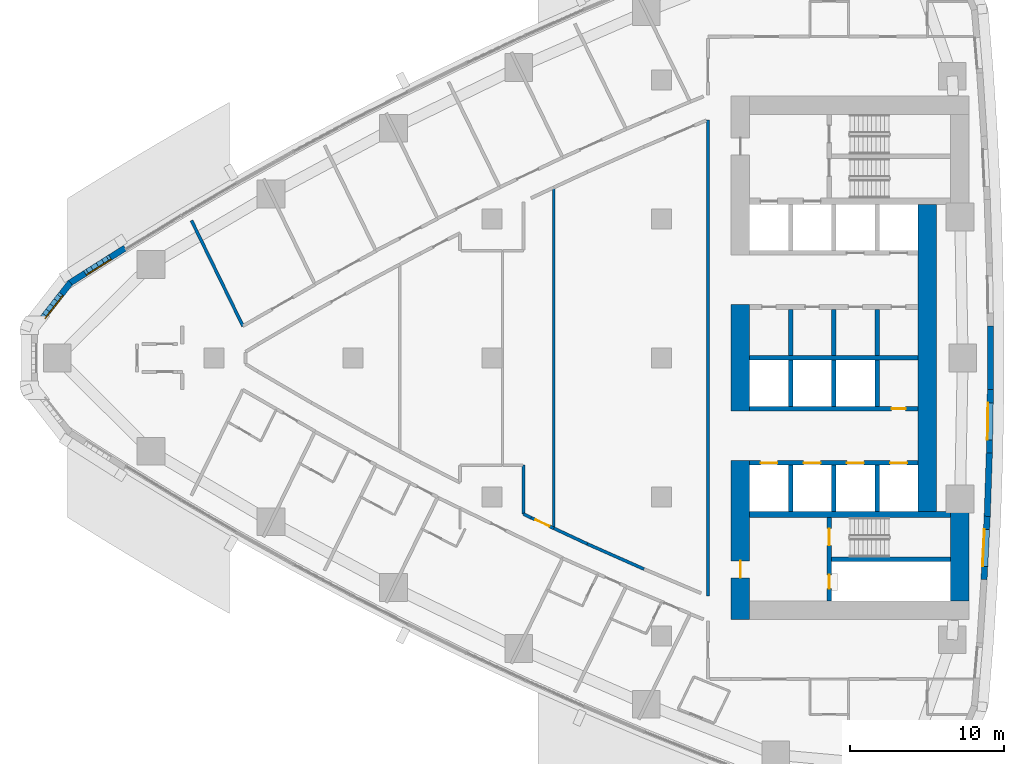
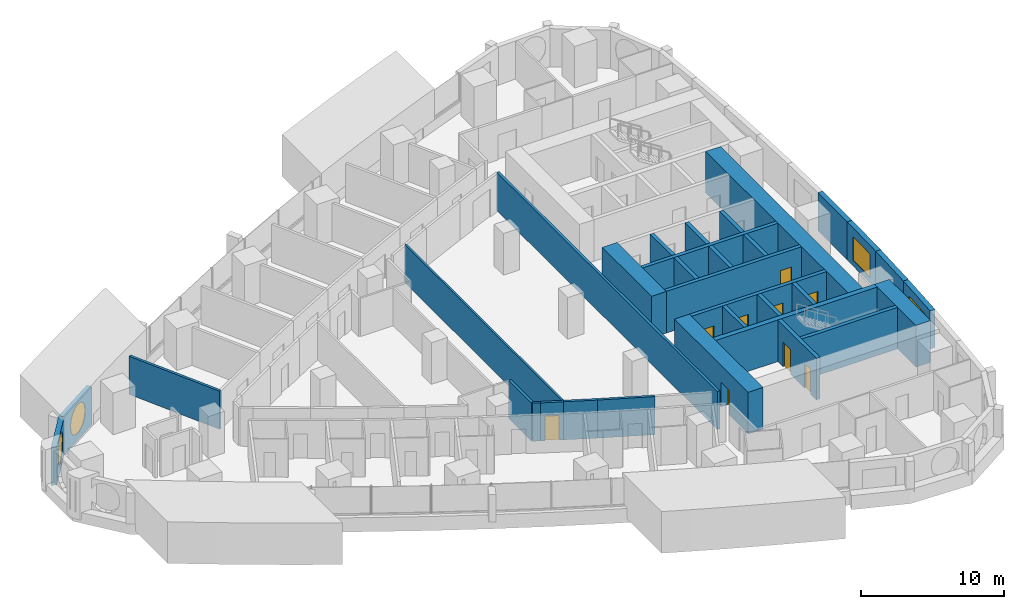
# One storey, part 11 of 19: 33 walls, 9 doors, 4 windows, 13 openings.
"""IFC4 building model written with IfcOpenShell, lengths in metres."""

from ifc_helpers import new_model, si_unit, direction, frame, frame_2d, origin, place, context, subcontext, project, spatial, polyline, rectangle, outline, extrude, material, layer, layer_set, type_object, element, fill, save


model = new_model("IFC4")

# Units and contexts
model_context = context("Model", 3, precision=1e-05, world=origin(), true_north=direction((0.0, 1.0)))
body_context = subcontext(model_context, "Body", "Model", "MODEL_VIEW")
ifc_project = project(units=[si_unit("LENGTHUNIT", "METRE"), si_unit("AREAUNIT", "SQUARE_METRE"), si_unit("VOLUMEUNIT", "CUBIC_METRE"), si_unit("PLANEANGLEUNIT", "RADIAN"), si_unit("MASSUNIT", "GRAM", prefix="KILO")], contexts=[model_context])

# Site, building, storey
site_placement = place(None, origin())
site = spatial("IfcSite", under=ifc_project, at=site_placement, CompositionType="ELEMENT")
building_placement = place(site_placement, origin())
building = spatial("IfcBuilding", under=site, at=building_placement, Name="Ostrand Prow Hotel Tower", CompositionType="ELEMENT")
storey_placement = place(building_placement, frame((0.0, 0.0, 46.699951171875)))
storey = spatial("IfcBuildingStorey", under=building, at=storey_placement, Name="L09", CompositionType="ELEMENT", Elevation=46.699951171875)

# Wall
ifc_material_1 = material(Name="Concrete C80/95", Category="concrete")
ifc_layer_1 = layer(ifc_material_1, 1.199951171875)
ifc_layer_set_1 = layer_set([ifc_layer_1], Name="Concrete C80/95")
wall_type_1 = type_object("IfcWallType", Name="Core wall 1200 C80/95", PredefinedType="SHEAR", material=ifc_layer_set_1)
wall_1_placement = place(storey_placement, frame((50.10009765625, -3.449951171875, 0.0), z_axis=(0.0, 0.0, 1.0), x_axis=(0.0, 1.0, 0.0)))
element("IfcWall", 1, at=wall_1_placement, inside=storey, type_object=wall_type_1, Name="Core wall CW-W-C", PredefinedType="SHEAR", context=body_context, shape_type="SweptSolid", body=[
    extrude(rectangle(XDim=6.89990234375, YDim=1.199951171875, at=frame_2d((3.449951171875, 0.0))), origin(), (0.0, 0.0, 1.0), 3.550048828125),
])

# Wall, opening, door
wall_2_placement = place(storey_placement, frame((50.10009765625, -16.949951171875, 0.0), z_axis=(0.0, 0.0, 1.0), x_axis=(0.0, 1.0, 0.0)))
wall_2 = element("IfcWall", 2, at=wall_2_placement, inside=storey, type_object=wall_type_1, Name="Core wall CW-W-S", PredefinedType="SHEAR", context=body_context, shape_type="SweptSolid", body=[
    extrude(rectangle(XDim=10.300048828125, YDim=1.199951171875, at=frame_2d((5.14990234375, 0.0))), origin(), (0.0, 0.0, 1.0), 3.550048828125),
])
opening_1_placement = place(wall_2_placement, frame((2.699951171875, 0.0, 0.0)))
opening_1 = element("IfcOpeningElement", 3, at=opening_1_placement, cuts=wall_2, Name="Opening FD1", PredefinedType="OPENING", context=body_context, shape_type="SweptSolid", body=[
    extrude(rectangle(XDim=1.10009765625, YDim=2.10009765625, at=frame_2d((0.550048828125, 1.050048828125))), frame((0.0, 0.60986328125, 0.0), z_axis=(0.0, -1.0, 0.0), x_axis=(1.0, 0.0, 0.0)), (0.0, 0.0, 1.0), 1.219970703125),
])
ifc_material_2 = material(Name="Steel fire door", Category="steel")
door_type_1 = type_object("IfcDoorType", Name="Fire door 1100 EI120", OperationType="SINGLE_SWING_RIGHT", PredefinedType="DOOR", material=ifc_material_2)
door_1_placement = place(opening_1_placement, origin())
door_1 = element("IfcDoor", 4, at=door_1_placement, inside=storey, type_object=door_type_1, Name="FIRE DOOR", OperationType="SINGLE_SWING_RIGHT", OverallHeight=2.10009765625, OverallWidth=1.10009765625, PredefinedType="DOOR", context=body_context, shape_type="SweptSolid", body=[
    extrude(rectangle(XDim=1.10009765625, YDim=2.10009765625, at=frame_2d((0.550048828125, 1.050048828125))), frame((0.0, 0.02490234375, 0.0), z_axis=(0.0, -1.0, 0.0), x_axis=(1.0, 0.0, 0.0)), (0.0, 0.0, 1.0), 0.050048828125),
])
fill(opening_1, door_1)

# Walls
wall_3_placement = place(storey_placement, frame((64.320068359375, -15.75, 0.0), z_axis=(0.0, 0.0, 1.0), x_axis=(0.0, 1.0, 0.0)))
element("IfcWall", 5, at=wall_3_placement, inside=storey, type_object=wall_type_1, Name="Core wall CW-E-S", PredefinedType="SHEAR", context=body_context, shape_type="SweptSolid", body=[
    extrude(rectangle(XDim=5.800048828125, YDim=1.199951171875, at=frame_2d((2.89990234375, 0.0))), origin(), (0.0, 0.0, 1.0), 3.550048828125),
])
wall_4_placement = place(storey_placement, frame((62.199951171875, -9.949951171875, 0.0), z_axis=(0.0, 0.0, 1.0), x_axis=(0.0, 1.0, 0.0)))
element("IfcWall", 6, at=wall_4_placement, inside=storey, type_object=wall_type_1, Name="Core wall CW-E-C", PredefinedType="SHEAR", context=body_context, shape_type="SweptSolid", body=[
    extrude(rectangle(XDim=19.89990234375, YDim=1.199951171875, at=frame_2d((9.949951171875, 0.0))), origin(), (0.0, 0.0, 1.0), 3.550048828125),
])
ifc_material_3 = material(Name="Concrete C80/95", Category="concrete")
ifc_layer_2 = layer(ifc_material_3, 0.300048828125)
ifc_layer_set_2 = layer_set([ifc_layer_2], Name="Concrete C80/95")
wall_type_2 = type_object("IfcWallType", Name="Core wall 300 C80/95", PredefinedType="SHEAR", material=ifc_layer_set_2)
wall_5_placement = place(storey_placement, frame((50.699951171875, 0.0, 0.0), z_axis=(0.0, 0.0, 1.0), x_axis=(1.0, 0.0, 0.0)))
element("IfcWall", 7, at=wall_5_placement, inside=storey, type_object=wall_type_2, Name="Core wall PW-C", PredefinedType="SHEAR", context=body_context, shape_type="SweptSolid", body=[
    extrude(rectangle(XDim=10.900146484375, YDim=0.300048828125, at=frame_2d((5.4501953125, 0.0))), origin(), (0.0, 0.0, 1.0), 3.550048828125),
])
for number, where, z_axis, x_axis, name in (
    (8, (53.35009765625, 0.14990234375, 0.0), (0.0, 0.0, 1.0), (0.0, 1.0, 0.0), "Core wall PW-R1-NB"),
    (9, (56.14990234375, 0.14990234375, 0.0), (0.0, 0.0, 1.0), (0.0, 1.0, 0.0), "Core wall PW-R2-NB"),
    (10, (58.949951171875, 0.14990234375, 0.0), (0.0, 0.0, 1.0), (0.0, 1.0, 0.0), "Core wall PW-R3-NB"),
):
    element("IfcWall", number, at=place(storey_placement, frame(where, z_axis=z_axis, x_axis=x_axis)), inside=storey, type_object=wall_type_2, Name=name, PredefinedType="SHEAR", context=body_context, shape_type="SweptSolid", body=[
        extrude(rectangle(XDim=3.0, YDim=0.300048828125, at=frame_2d((1.5, 0.0))), origin(), (0.0, 0.0, 1.0), 3.550048828125),
    ])

# Wall, opening, door
wall_6_placement = place(storey_placement, frame((50.699951171875, -3.300048828125, 0.0), z_axis=(0.0, 0.0, 1.0), x_axis=(1.0, 0.0, 0.0)))
wall_6 = element("IfcWall", 11, at=wall_6_placement, inside=storey, type_object=wall_type_2, Name="Core wall PW-L1-S", PredefinedType="SHEAR", context=body_context, shape_type="SweptSolid", body=[
    extrude(rectangle(XDim=10.900146484375, YDim=0.300048828125, at=frame_2d((5.4501953125, 0.0))), origin(), (0.0, 0.0, 1.0), 3.550048828125),
])
opening_2_placement = place(wall_6_placement, frame((9.199951171875, 0.0, 0.0)))
opening_2 = element("IfcOpeningElement", 12, at=opening_2_placement, cuts=wall_6, Name="Opening FD2", PredefinedType="OPENING", context=body_context, shape_type="SweptSolid", body=[
    extrude(rectangle(XDim=0.89990234375, YDim=2.10009765625, at=frame_2d((0.449951171875, 1.050048828125))), frame((0.0, 0.159912109375, 0.0), z_axis=(0.0, -1.0, 0.0), x_axis=(1.0, 0.0, 0.0)), (0.0, 0.0, 1.0), 0.320068359375),
])
ifc_material_4 = material(Name="Steel fire door", Category="steel")
door_type_2 = type_object("IfcDoorType", Name="Fire door 900 EI120", OperationType="SINGLE_SWING_LEFT", PredefinedType="DOOR", material=ifc_material_4)
door_2_placement = place(opening_2_placement, origin())
door_2 = element("IfcDoor", 13, at=door_2_placement, inside=storey, type_object=door_type_2, Name="DOOR", OperationType="SINGLE_SWING_LEFT", OverallHeight=2.10009765625, OverallWidth=0.89990234375, PredefinedType="DOOR", context=body_context, shape_type="SweptSolid", body=[
    extrude(rectangle(XDim=0.89990234375, YDim=2.10009765625, at=frame_2d((0.449951171875, 1.050048828125))), frame((0.0, 0.02490234375, 0.0), z_axis=(0.0, -1.0, 0.0), x_axis=(1.0, 0.0, 0.0)), (0.0, 0.0, 1.0), 0.050048828125),
])
fill(opening_2, door_2)

# Wall, openings, doors
wall_7_placement = place(storey_placement, frame((50.699951171875, -6.800048828125, 0.0), z_axis=(0.0, 0.0, 1.0), x_axis=(1.0, 0.0, 0.0)))
wall_7 = element("IfcWall", 14, at=wall_7_placement, inside=storey, type_object=wall_type_2, Name="Core wall PW-L2-S", PredefinedType="SHEAR", context=body_context, shape_type="SweptSolid", body=[
    extrude(rectangle(XDim=10.900146484375, YDim=0.300048828125, at=frame_2d((5.4501953125, 0.0))), origin(), (0.0, 0.0, 1.0), 3.550048828125),
])
opening_3_placement = place(wall_7_placement, frame((0.699951171875, 0.0, 0.0)))
opening_3 = element("IfcOpeningElement", 15, at=opening_3_placement, cuts=wall_7, Name="Opening LD", PredefinedType="OPENING", context=body_context, shape_type="SweptSolid", body=[
    extrude(rectangle(XDim=1.10009765625, YDim=2.10009765625, at=frame_2d((0.550048828125, 1.050048828125))), frame((0.0, 0.159912109375, 0.0), z_axis=(0.0, -1.0, 0.0), x_axis=(1.0, 0.0, 0.0)), (0.0, 0.0, 1.0), 0.320068359375),
])
opening_4_placement = place(wall_7_placement, frame((3.5, 0.0, 0.0)))
opening_4 = element("IfcOpeningElement", 16, at=opening_4_placement, cuts=wall_7, Name="Opening LD", PredefinedType="OPENING", context=body_context, shape_type="SweptSolid", body=[
    extrude(rectangle(XDim=1.10009765625, YDim=2.10009765625, at=frame_2d((0.550048828125, 1.050048828125))), frame((0.0, 0.159912109375, 0.0), z_axis=(0.0, -1.0, 0.0), x_axis=(1.0, 0.0, 0.0)), (0.0, 0.0, 1.0), 0.320068359375),
])
opening_5_placement = place(wall_7_placement, frame((6.300048828125, 0.0, 0.0)))
opening_5 = element("IfcOpeningElement", 17, at=opening_5_placement, cuts=wall_7, Name="Opening LD", PredefinedType="OPENING", context=body_context, shape_type="SweptSolid", body=[
    extrude(rectangle(XDim=1.10009765625, YDim=2.10009765625, at=frame_2d((0.550048828125, 1.050048828125))), frame((0.0, 0.159912109375, 0.0), z_axis=(0.0, -1.0, 0.0), x_axis=(1.0, 0.0, 0.0)), (0.0, 0.0, 1.0), 0.320068359375),
])
opening_6_placement = place(wall_7_placement, frame((9.10009765625, 0.0, 0.0)))
opening_6 = element("IfcOpeningElement", 18, at=opening_6_placement, cuts=wall_7, Name="Opening LD", PredefinedType="OPENING", context=body_context, shape_type="SweptSolid", body=[
    extrude(rectangle(XDim=1.10009765625, YDim=2.10009765625, at=frame_2d((0.550048828125, 1.050048828125))), frame((0.0, 0.159912109375, 0.0), z_axis=(0.0, -1.0, 0.0), x_axis=(1.0, 0.0, 0.0)), (0.0, 0.0, 1.0), 0.320068359375),
])
ifc_material_5 = material(Name="Stainless steel door", Category="steel")
door_type_3 = type_object("IfcDoorType", Name="Lift landing door 1100", OperationType="DOUBLE_DOOR_SLIDING", PredefinedType="DOOR", material=ifc_material_5)
door_3_placement = place(opening_3_placement, origin())
door_3 = element("IfcDoor", 19, at=door_3_placement, inside=storey, type_object=door_type_3, Name="LIFT LANDING DOOR", OperationType="DOUBLE_DOOR_SLIDING", OverallHeight=2.10009765625, OverallWidth=1.10009765625, PredefinedType="DOOR", context=body_context, shape_type="SweptSolid", body=[
    extrude(rectangle(XDim=1.10009765625, YDim=2.10009765625, at=frame_2d((0.550048828125, 1.050048828125))), frame((0.0, 0.02490234375, 0.0), z_axis=(0.0, -1.0, 0.0), x_axis=(1.0, 0.0, 0.0)), (0.0, 0.0, 1.0), 0.050048828125),
])
fill(opening_3, door_3)
door_4_placement = place(opening_4_placement, origin())
door_4 = element("IfcDoor", 20, at=door_4_placement, inside=storey, type_object=door_type_3, Name="LIFT LANDING DOOR", OperationType="DOUBLE_DOOR_SLIDING", OverallHeight=2.10009765625, OverallWidth=1.10009765625, PredefinedType="DOOR", context=body_context, shape_type="SweptSolid", body=[
    extrude(rectangle(XDim=1.10009765625, YDim=2.10009765625, at=frame_2d((0.550048828125, 1.050048828125))), frame((0.0, 0.02490234375, 0.0), z_axis=(0.0, -1.0, 0.0), x_axis=(1.0, 0.0, 0.0)), (0.0, 0.0, 1.0), 0.050048828125),
])
fill(opening_4, door_4)
door_5_placement = place(opening_5_placement, origin())
door_5 = element("IfcDoor", 21, at=door_5_placement, inside=storey, type_object=door_type_3, Name="LIFT LANDING DOOR", OperationType="DOUBLE_DOOR_SLIDING", OverallHeight=2.10009765625, OverallWidth=1.10009765625, PredefinedType="DOOR", context=body_context, shape_type="SweptSolid", body=[
    extrude(rectangle(XDim=1.10009765625, YDim=2.10009765625, at=frame_2d((0.550048828125, 1.050048828125))), frame((0.0, 0.02490234375, 0.0), z_axis=(0.0, -1.0, 0.0), x_axis=(1.0, 0.0, 0.0)), (0.0, 0.0, 1.0), 0.050048828125),
])
fill(opening_5, door_5)
door_6_placement = place(opening_6_placement, origin())
door_6 = element("IfcDoor", 22, at=door_6_placement, inside=storey, type_object=door_type_3, Name="LIFT LANDING DOOR", OperationType="DOUBLE_DOOR_SLIDING", OverallHeight=2.10009765625, OverallWidth=1.10009765625, PredefinedType="DOOR", context=body_context, shape_type="SweptSolid", body=[
    extrude(rectangle(XDim=1.10009765625, YDim=2.10009765625, at=frame_2d((0.550048828125, 1.050048828125))), frame((0.0, 0.02490234375, 0.0), z_axis=(0.0, -1.0, 0.0), x_axis=(1.0, 0.0, 0.0)), (0.0, 0.0, 1.0), 0.050048828125),
])
fill(opening_6, door_6)

# Walls
for number, where, z_axis, x_axis, name in (
    (23, (53.35009765625, -3.14990234375, 0.0), (0.0, 0.0, 1.0), (0.0, 1.0, 0.0), "Core wall PW-R1-SB"),
    (24, (53.35009765625, -9.949951171875, 0.0), (0.0, 0.0, 1.0), (0.0, 1.0, 0.0), "Core wall PW-R1-SA"),
    (25, (56.14990234375, -3.14990234375, 0.0), (0.0, 0.0, 1.0), (0.0, 1.0, 0.0), "Core wall PW-R2-SB"),
    (26, (56.14990234375, -9.949951171875, 0.0), (0.0, 0.0, 1.0), (0.0, 1.0, 0.0), "Core wall PW-R2-SA"),
    (27, (58.949951171875, -3.14990234375, 0.0), (0.0, 0.0, 1.0), (0.0, 1.0, 0.0), "Core wall PW-R3-SB"),
    (28, (58.949951171875, -9.949951171875, 0.0), (0.0, 0.0, 1.0), (0.0, 1.0, 0.0), "Core wall PW-R3-SA"),
):
    element("IfcWall", number, at=place(storey_placement, frame(where, z_axis=z_axis, x_axis=x_axis)), inside=storey, type_object=wall_type_2, Name=name, PredefinedType="SHEAR", context=body_context, shape_type="SweptSolid", body=[
        extrude(rectangle(XDim=3.0, YDim=0.300048828125, at=frame_2d((1.5, 0.0))), origin(), (0.0, 0.0, 1.0), 3.550048828125),
    ])

# Wall, openings, doors
wall_8_placement = place(storey_placement, frame((55.85009765625, -15.75, 0.0), z_axis=(0.0, 0.0, 1.0), x_axis=(0.0, 1.0, 0.0)))
wall_8 = element("IfcWall", 29, at=wall_8_placement, inside=storey, type_object=wall_type_2, Name="Core wall PW-VS", PredefinedType="SHEAR", context=body_context, shape_type="SweptSolid", body=[
    extrude(rectangle(XDim=5.39990234375, YDim=0.300048828125, at=frame_2d((2.699951171875, 0.0))), origin(), (0.0, 0.0, 1.0), 3.550048828125),
])
opening_7_placement = place(wall_8_placement, frame((3.60009765625, 0.0, 0.0)))
opening_7 = element("IfcOpeningElement", 30, at=opening_7_placement, cuts=wall_8, Name="Opening FD1", PredefinedType="OPENING", context=body_context, shape_type="SweptSolid", body=[
    extrude(rectangle(XDim=1.10009765625, YDim=2.10009765625, at=frame_2d((0.550048828125, 1.050048828125))), frame((0.0, 0.159912109375, 0.0), z_axis=(0.0, -1.0, 0.0), x_axis=(1.0, 0.0, 0.0)), (0.0, 0.0, 1.0), 0.320068359375),
])
opening_8_placement = place(wall_8_placement, frame((0.800048828125, 0.0, 0.0)))
opening_8 = element("IfcOpeningElement", 31, at=opening_8_placement, cuts=wall_8, Name="Opening FD2", PredefinedType="OPENING", context=body_context, shape_type="SweptSolid", body=[
    extrude(rectangle(XDim=0.89990234375, YDim=2.10009765625, at=frame_2d((0.449951171875, 1.050048828125))), frame((0.0, 0.159912109375, 0.0), z_axis=(0.0, -1.0, 0.0), x_axis=(1.0, 0.0, 0.0)), (0.0, 0.0, 1.0), 0.320068359375),
])
door_7_placement = place(opening_7_placement, origin())
door_7 = element("IfcDoor", 32, at=door_7_placement, inside=storey, type_object=door_type_1, Name="FIRE DOOR", OperationType="SINGLE_SWING_RIGHT", OverallHeight=2.10009765625, OverallWidth=1.10009765625, PredefinedType="DOOR", context=body_context, shape_type="SweptSolid", body=[
    extrude(rectangle(XDim=1.10009765625, YDim=2.10009765625, at=frame_2d((0.550048828125, 1.050048828125))), frame((0.0, 0.02490234375, 0.0), z_axis=(0.0, -1.0, 0.0), x_axis=(1.0, 0.0, 0.0)), (0.0, 0.0, 1.0), 0.050048828125),
])
fill(opening_7, door_7)
door_8_placement = place(opening_8_placement, origin())
door_8 = element("IfcDoor", 33, at=door_8_placement, inside=storey, type_object=door_type_2, Name="FIRE DOOR", OperationType="SINGLE_SWING_LEFT", OverallHeight=2.10009765625, OverallWidth=0.89990234375, PredefinedType="DOOR", context=body_context, shape_type="SweptSolid", body=[
    extrude(rectangle(XDim=0.89990234375, YDim=2.10009765625, at=frame_2d((0.449951171875, 1.050048828125))), frame((0.0, 0.02490234375, 0.0), z_axis=(0.0, -1.0, 0.0), x_axis=(1.0, 0.0, 0.0)), (0.0, 0.0, 1.0), 0.050048828125),
])
fill(opening_8, door_8)

# Walls
wall_9_placement = place(storey_placement, frame((56.0, -13.050048828125, 0.0), z_axis=(0.0, 0.0, 1.0), x_axis=(1.0, 0.0, 0.0)))
element("IfcWall", 34, at=wall_9_placement, inside=storey, type_object=wall_type_2, Name="Core wall PW-ST2R", PredefinedType="SHEAR", context=body_context, shape_type="SweptSolid", body=[
    extrude(rectangle(XDim=7.719970703125, YDim=0.300048828125, at=frame_2d((3.85986328125, 0.0))), origin(), (0.0, 0.0, 1.0), 3.550048828125),
])
ifc_material_6 = material(Name="Concrete C80/95", Category="concrete")
ifc_layer_3 = layer(ifc_material_6, 0.39990234375)
ifc_layer_set_3 = layer_set([ifc_layer_3], Name="Concrete C80/95")
wall_type_3 = type_object("IfcWallType", Name="Core wall 400 C80/95", PredefinedType="SHEAR", material=ifc_layer_set_3)
wall_10_placement = place(storey_placement, frame((50.699951171875, -10.14990234375, 0.0), z_axis=(0.0, 0.0, 1.0), x_axis=(1.0, 0.0, 0.0)))
element("IfcWall", 35, at=wall_10_placement, inside=storey, type_object=wall_type_3, Name="Core wall PW-BS", PredefinedType="SHEAR", context=body_context, shape_type="SweptSolid", body=[
    extrude(rectangle(XDim=13.02001953125, YDim=0.39990234375, at=frame_2d((6.510009765625, 0.0))), origin(), (0.0, 0.0, 1.0), 3.550048828125),
])
ifc_material_7 = material(Name="Plasterboard partition")
ifc_layer_4 = layer(ifc_material_7, 0.14990234375)
ifc_layer_set_4 = layer_set([ifc_layer_4], Name="Plasterboard partition")
wall_type_4 = type_object("IfcWallType", Name="Partition 150 room partition", PredefinedType="PARTITIONING", material=ifc_layer_set_4)
wall_11_placement = place(storey_placement, frame((38.0166015625, -11.039306640625, 0.0), z_axis=(0.0, 0.0, 1.0), x_axis=(0.0, 1.0, 0.0)))
element("IfcWall", 36, at=wall_11_placement, inside=storey, type_object=wall_type_4, Name="ROOM PARTITION", PredefinedType="PARTITIONING", context=body_context, shape_type="SweptSolid", body=[
    extrude(rectangle(XDim=22.07861328125, YDim=0.14990234375, at=frame_2d((11.039306640625, 0.0))), origin(), (0.0, 0.0, 1.0), 3.25),
])

# Wall, opening, door
ifc_material_8 = material(Name="Plasterboard partition")
ifc_layer_5 = layer(ifc_material_8, 0.199951171875)
ifc_layer_set_5 = layer_set([ifc_layer_5], Name="Plasterboard partition")
wall_type_5 = type_object("IfcWallType", Name="Partition 200 corridor wall", PredefinedType="PARTITIONING", material=ifc_layer_set_5)
wall_12_placement = place(storey_placement, frame((38.0166015625, -11.039306640625, 0.0), z_axis=(0.0, 0.0, 1.0), x_axis=(-0.906378304335, 0.422467003955, 0.0)))
wall_12 = element("IfcWall", 37, at=wall_12_placement, inside=storey, type_object=wall_type_5, Name="CORRIDOR WALL", PredefinedType="PARTITIONING", context=body_context, shape_type="SweptSolid", body=[
    extrude(rectangle(XDim=1.629150390625, YDim=0.199951171875, at=frame_2d((0.814453125, 0.0))), origin(), (0.0, 0.0, 1.0), 3.25),
])
opening_9_placement = place(wall_12_placement, frame((0.314697265625, 0.0, 0.0)))
opening_9 = element("IfcOpeningElement", 38, at=opening_9_placement, cuts=wall_12, Name="Opening D1R", PredefinedType="OPENING", context=body_context, shape_type="SweptSolid", body=[
    extrude(rectangle(XDim=1.0, YDim=2.10009765625, at=frame_2d((0.5, 1.050048828125))), frame((0.0, 0.10986328125, 0.0), z_axis=(0.0, -1.0, 0.0), x_axis=(1.0, 0.0, 0.0)), (0.0, 0.0, 1.0), 0.219970703125),
])
ifc_material_9 = material(Name="Timber door leaf", Category="wood")
door_type_4 = type_object("IfcDoorType", Name="Guest room door 1000 right", OperationType="SINGLE_SWING_RIGHT", PredefinedType="DOOR", material=ifc_material_9)
door_9_placement = place(opening_9_placement, origin())
door_9 = element("IfcDoor", 39, at=door_9_placement, inside=storey, type_object=door_type_4, Name="DOOR", OperationType="SINGLE_SWING_RIGHT", OverallHeight=2.10009765625, OverallWidth=1.0, PredefinedType="DOOR", context=body_context, shape_type="SweptSolid", body=[
    extrude(rectangle(XDim=1.0, YDim=2.10009765625, at=frame_2d((0.5, 1.050048828125))), frame((0.0, 0.02490234375, 0.0), z_axis=(0.0, -1.0, 0.0), x_axis=(1.0, 0.0, 0.0)), (0.0, 0.0, 1.0), 0.050048828125),
])
fill(opening_9, door_9)

# Walls
wall_13_placement = place(storey_placement, frame((43.85009765625, -13.67724609375, 0.0), z_axis=(0.0, 0.0, 1.0), x_axis=(-0.913986953061, 0.405743576209, 0.0)))
element("IfcWall", 40, at=wall_13_placement, inside=storey, type_object=wall_type_5, Name="CORRIDOR WALL", PredefinedType="PARTITIONING", context=body_context, shape_type="SweptSolid", body=[
    extrude(rectangle(XDim=4.015869140625, YDim=0.199951171875, at=frame_2d((2.0078125, 0.0))), origin(), (0.0, 0.0, 1.0), 3.25),
])
wall_14_placement = place(storey_placement, frame((40.1796875, -12.0478515625, 0.0), z_axis=(0.0, 0.0, 1.0), x_axis=(-0.906326822236, 0.422577438223, 0.0)))
element("IfcWall", 41, at=wall_14_placement, inside=storey, type_object=wall_type_5, Name="CORRIDOR WALL", PredefinedType="PARTITIONING", context=body_context, shape_type="SweptSolid", body=[
    extrude(rectangle(XDim=2.38671875, YDim=0.199951171875, at=frame_2d((1.193359375, 0.0))), origin(), (0.0, 0.0, 1.0), 3.25),
])
wall_15_placement = place(storey_placement, frame((36.054931640625, -10.1083984375, 0.0), z_axis=(0.0, 0.0, 1.0), x_axis=(-0.000308880294, 0.999999952296, 0.0)))
element("IfcWall", 42, at=wall_15_placement, inside=storey, type_object=wall_type_5, Name="CORRIDOR WALL", PredefinedType="PARTITIONING", context=body_context, shape_type="SweptSolid", body=[
    extrude(rectangle(XDim=3.16162109375, YDim=0.199951171875, at=frame_2d((1.580810546875, 0.0))), origin(), (0.0, 0.0, 1.0), 3.25),
])
wall_16_placement = place(storey_placement, frame((48.0, 15.4140625, 0.0), z_axis=(0.0, 0.0, 1.0), x_axis=(0.0, -1.0, 0.0)))
element("IfcWall", 43, at=wall_16_placement, inside=storey, type_object=wall_type_5, Name="CORRIDOR WALL", PredefinedType="PARTITIONING", context=body_context, shape_type="SweptSolid", body=[
    extrude(rectangle(XDim=30.828125, YDim=0.199951171875, at=frame_2d((15.4140625, 0.0))), origin(), (0.0, 0.0, 1.0), 3.25),
])
wall_17_placement = place(storey_placement, frame((36.5400390625, -10.35107421875, 0.0), z_axis=(0.0, 0.0, 1.0), x_axis=(-0.894337154042, 0.447393624116, 0.0)))
element("IfcWall", 44, at=wall_17_placement, inside=storey, type_object=wall_type_5, Name="CORRIDOR WALL", PredefinedType="PARTITIONING", context=body_context, shape_type="SweptSolid", body=[
    extrude(rectangle(XDim=0.54248046875, YDim=0.199951171875, at=frame_2d((0.271240234375, 0.0))), origin(), (0.0, 0.0, 1.0), 3.25),
])
ifc_material_10 = material(Name="Plasterboard partition")
ifc_layer_6 = layer(ifc_material_10, 0.199951171875)
ifc_layer_set_6 = layer_set([ifc_layer_6], Name="Plasterboard partition")
wall_type_6 = type_object("IfcWallType", Name="Partition 200 key partition", PredefinedType="PARTITIONING", material=ifc_layer_set_6)
wall_18_placement = place(storey_placement, frame((17.88232421875, 2.050048828125, 0.0), z_axis=(0.0, 0.0, 1.0), x_axis=(-0.438213564788, 0.898870887078, 0.0)))
element("IfcWall", 45, at=wall_18_placement, inside=storey, type_object=wall_type_6, Name="KEY PARTITION", PredefinedType="PARTITIONING", context=body_context, shape_type="SweptSolid", body=[
    extrude(rectangle(XDim=7.62548828125, YDim=0.199951171875, at=frame_2d((3.812744140625, 0.0))), origin(), (0.0, 0.0, 1.0), 3.25),
])

# Wall, opening, window
ifc_material_11 = material(Name="Precast concrete C40/50", Category="concrete")
ifc_layer_7 = layer(ifc_material_11, 0.39990234375)
ifc_layer_set_7 = layer_set([ifc_layer_7], Name="Precast concrete C40/50")
wall_type_7 = type_object("IfcWallType", Name="Stone-faced precast wall 400 mm", PredefinedType="NOTDEFINED", material=ifc_layer_set_7)
wall_19_placement = place(storey_placement, frame((10.24169921875, 7.116455078125, 0.0), z_axis=(0.0, 0.0, 1.0), x_axis=(-0.844551578623, -0.535474211372, 0.0)))
wall_19 = element("IfcWall", 46, at=wall_19_placement, inside=storey, type_object=wall_type_7, Name="Stone-faced wall prow 1", PredefinedType="NOTDEFINED", context=body_context, shape_type="SweptSolid", body=[
    extrude(outline(polyline([(0.0, -0.199951171875), (4.23046875, -0.199951171875), (4.16162109375, 0.199951171875), (0.0, 0.199951171875), (0.0, -0.199951171875)])), origin(), (0.0, 0.0, 1.0), 3.25),
])
opening_10_placement = place(wall_19_placement, frame((0.998046875, 0.0, 0.60009765625)))
opening_10 = element("IfcOpeningElement", 47, at=opening_10_placement, cuts=wall_19, Name="Opening WP2", PredefinedType="OPENING", context=body_context, shape_type="SweptSolid", body=[
    extrude(outline(polyline([(0.0, 1.35009765625), (0.083740234375, 1.77099609375), (0.322265625, 2.127685546875), (0.678955078125, 2.3662109375), (1.10009765625, 2.449951171875), (1.52099609375, 2.3662109375), (1.877685546875, 2.127685546875), (2.1162109375, 1.77099609375), (2.199951171875, 1.35009765625), (2.199951171875, 1.10009765625), (2.1162109375, 0.678955078125), (1.877685546875, 0.322265625), (1.52099609375, 0.083740234375), (1.10009765625, 0.0), (0.678955078125, 0.083740234375), (0.322265625, 0.322265625), (0.083740234375, 0.678955078125), (0.0, 1.099853515625), (0.0, 1.35009765625)])), frame((0.0, 0.2099609375, 0.0), z_axis=(0.0, -1.0, 0.0), x_axis=(1.0, 0.0, 0.0)), (0.0, 0.0, 1.0), 0.419921875),
])
ifc_material_12 = material(Name="Insulated glass in bronze frame", Category="glass")
window_type_1 = type_object("IfcWindowType", Name="Round-ended prow lounge window 2200x2450", PartitioningType="SINGLE_PANEL", PredefinedType="WINDOW", material=ifc_material_12)
window_1_placement = place(opening_10_placement, origin())
window_1 = element("IfcWindow", 48, at=window_1_placement, inside=storey, type_object=window_type_1, Name="Window prow 1.1", OverallHeight=2.449951171875, OverallWidth=2.199951171875, PartitioningType="SINGLE_PANEL", PredefinedType="WINDOW", context=body_context, shape_type="SweptSolid", body=[
    extrude(outline(polyline([(0.0, 1.35009765625), (0.083740234375, 1.77099609375), (0.322265625, 2.127685546875), (0.678955078125, 2.3662109375), (1.10009765625, 2.449951171875), (1.52099609375, 2.3662109375), (1.877685546875, 2.127685546875), (2.1162109375, 1.77099609375), (2.199951171875, 1.35009765625), (2.199951171875, 1.10009765625), (2.1162109375, 0.678955078125), (1.877685546875, 0.322265625), (1.52099609375, 0.083740234375), (1.10009765625, 0.0), (0.678955078125, 0.083740234375), (0.322265625, 0.322265625), (0.083740234375, 0.678955078125), (0.0, 1.099853515625), (0.0, 1.35009765625)])), frame((0.0, 0.169921875, 0.0), z_axis=(0.0, -1.0, 0.0), x_axis=(1.0, 0.0, 0.0)), (0.0, 0.0, 1.0), 0.06005859375),
])
fill(opening_10, window_1)

wall_20_placement = place(storey_placement, frame((6.697998046875, 4.86962890625, 0.0), z_axis=(0.0, 0.0, 1.0), x_axis=(-0.616586647779, -0.787287054245, 0.0)))
wall_20 = element("IfcWall", 49, at=wall_20_placement, inside=storey, type_object=wall_type_7, Name="Stone-faced wall prow 2", PredefinedType="NOTDEFINED", context=body_context, shape_type="SweptSolid", body=[
    extrude(outline(polyline([(-0.034423828125, -0.199951171875), (3.85205078125, -0.199951171875), (3.7138671875, 0.199951171875), (0.034423828125, 0.199951171875), (-0.034423828125, -0.199951171875)])), origin(), (0.0, 0.0, 1.0), 3.25),
])
opening_11_placement = place(wall_20_placement, frame((0.79150390625, 0.0, 0.60009765625)))
opening_11 = element("IfcOpeningElement", 50, at=opening_11_placement, cuts=wall_20, Name="Opening WP2", PredefinedType="OPENING", context=body_context, shape_type="SweptSolid", body=[
    extrude(outline(polyline([(0.0, 1.35009765625), (0.083740234375, 1.77099609375), (0.322265625, 2.127685546875), (0.678955078125, 2.3662109375), (1.10009765625, 2.449951171875), (1.52099609375, 2.3662109375), (1.877685546875, 2.127685546875), (2.1162109375, 1.77099609375), (2.199951171875, 1.35009765625), (2.199951171875, 1.10009765625), (2.1162109375, 0.678955078125), (1.877685546875, 0.322265625), (1.52099609375, 0.083740234375), (1.10009765625, 0.0), (0.678955078125, 0.083740234375), (0.322265625, 0.322265625), (0.083740234375, 0.678955078125), (0.0, 1.099853515625), (0.0, 1.35009765625)])), frame((0.0, 0.2099609375, 0.0), z_axis=(0.0, -1.0, 0.0), x_axis=(1.0, 0.0, 0.0)), (0.0, 0.0, 1.0), 0.419921875),
])
window_2_placement = place(opening_11_placement, origin())
window_2 = element("IfcWindow", 51, at=window_2_placement, inside=storey, type_object=window_type_1, Name="Window prow 2.1", OverallHeight=2.449951171875, OverallWidth=2.199951171875, PartitioningType="SINGLE_PANEL", PredefinedType="WINDOW", context=body_context, shape_type="SweptSolid", body=[
    extrude(outline(polyline([(0.0, 1.35009765625), (0.083740234375, 1.77099609375), (0.322265625, 2.127685546875), (0.678955078125, 2.3662109375), (1.10009765625, 2.449951171875), (1.52099609375, 2.3662109375), (1.877685546875, 2.127685546875), (2.1162109375, 1.77099609375), (2.199951171875, 1.35009765625), (2.199951171875, 1.10009765625), (2.1162109375, 0.678955078125), (1.877685546875, 0.322265625), (1.52099609375, 0.083740234375), (1.10009765625, 0.0), (0.678955078125, 0.083740234375), (0.322265625, 0.322265625), (0.083740234375, 0.678955078125), (0.0, 1.099853515625), (0.0, 1.35009765625)])), frame((0.0, 0.169921875, 0.0), z_axis=(0.0, -1.0, 0.0), x_axis=(1.0, 0.0, 0.0)), (0.0, 0.0, 1.0), 0.06005859375),
])
fill(opening_11, window_2)

wall_21_placement = place(storey_placement, frame((65.878173828125, -14.359619140625, 0.0), z_axis=(0.0, 0.0, 1.0), x_axis=(0.050314326423, 0.998733432181, 0.0)))
wall_21 = element("IfcWall", 52, at=wall_21_placement, inside=storey, type_object=wall_type_7, Name="Stone-faced wall back 7", PredefinedType="NOTDEFINED", context=body_context, shape_type="SweptSolid", body=[
    extrude(outline(polyline([(-0.001708984375, -0.199951171875), (4.106689453125, -0.199951171875), (4.103271484375, 0.199951171875), (0.001708984375, 0.199951171875), (-0.001708984375, -0.199951171875)])), origin(), (0.0, 0.0, 1.0), 3.25),
])
opening_12_placement = place(wall_21_placement, frame((0.8525390625, 0.0, 0.5)))
opening_12 = element("IfcOpeningElement", 53, at=opening_12_placement, cuts=wall_21, Name="Opening WA1", PredefinedType="OPENING", context=body_context, shape_type="SweptSolid", body=[
    extrude(rectangle(XDim=2.39990234375, YDim=2.0, at=frame_2d((1.199951171875, 1.0))), frame((0.0, 0.2099609375, 0.0), z_axis=(0.0, -1.0, 0.0), x_axis=(1.0, 0.0, 0.0)), (0.0, 0.0, 1.0), 0.419921875),
])
ifc_material_13 = material(Name="Insulated glass in bronze frame", Category="glass")
window_type_2 = type_object("IfcWindowType", Name="Amenity picture window 2400x2000", PartitioningType="SINGLE_PANEL", PredefinedType="WINDOW", material=ifc_material_13)
window_3_placement = place(opening_12_placement, origin())
window_3 = element("IfcWindow", 54, at=window_3_placement, inside=storey, type_object=window_type_2, Name="Window back 7.1", OverallHeight=2.0, OverallWidth=2.39990234375, PartitioningType="SINGLE_PANEL", PredefinedType="WINDOW", context=body_context, shape_type="SweptSolid", body=[
    extrude(rectangle(XDim=2.39990234375, YDim=2.0, at=frame_2d((1.199951171875, 1.0))), frame((0.0, 0.169921875, 0.0), z_axis=(0.0, -1.0, 0.0), x_axis=(1.0, 0.0, 0.0)), (0.0, 0.0, 1.0), 0.06005859375),
])
fill(opening_12, window_3)

# Wall
wall_22_placement = place(storey_placement, frame((66.084716796875, -10.259765625, 0.0), z_axis=(0.0, 0.0, 1.0), x_axis=(0.033542554696, 0.999437290191, 0.0)))
element("IfcWall", 55, at=wall_22_placement, inside=storey, type_object=wall_type_7, Name="Stone-faced wall back 8", PredefinedType="NOTDEFINED", context=body_context, shape_type="SweptSolid", body=[
    extrude(outline(polyline([(-0.001708984375, -0.199951171875), (4.106689453125, -0.199951171875), (4.103271484375, 0.199951171875), (0.001708984375, 0.199951171875), (-0.001708984375, -0.199951171875)])), origin(), (0.0, 0.0, 1.0), 3.25),
])

# Wall, opening, window
wall_23_placement = place(storey_placement, frame((66.222412109375, -6.156982421875, 0.0), z_axis=(0.0, 0.0, 1.0), x_axis=(0.016830829972, 0.999858351549, 0.0)))
wall_23 = element("IfcWall", 56, at=wall_23_placement, inside=storey, type_object=wall_type_7, Name="Stone-faced wall back 9", PredefinedType="NOTDEFINED", context=body_context, shape_type="SweptSolid", body=[
    extrude(outline(polyline([(-0.001708984375, -0.199951171875), (4.106689453125, -0.199951171875), (4.103271484375, 0.199951171875), (0.001708984375, 0.199951171875), (-0.001708984375, -0.199951171875)])), origin(), (0.0, 0.0, 1.0), 3.25),
])
opening_13_placement = place(wall_23_placement, frame((0.8525390625, 0.0, 0.5)))
opening_13 = element("IfcOpeningElement", 57, at=opening_13_placement, cuts=wall_23, Name="Opening WA1", PredefinedType="OPENING", context=body_context, shape_type="SweptSolid", body=[
    extrude(rectangle(XDim=2.39990234375, YDim=2.0, at=frame_2d((1.199951171875, 1.0))), frame((0.0, 0.2099609375, 0.0), z_axis=(0.0, -1.0, 0.0), x_axis=(1.0, 0.0, 0.0)), (0.0, 0.0, 1.0), 0.419921875),
])
window_4_placement = place(opening_13_placement, origin())
window_4 = element("IfcWindow", 58, at=window_4_placement, inside=storey, type_object=window_type_2, Name="Window back 9.1", OverallHeight=2.0, OverallWidth=2.39990234375, PartitioningType="SINGLE_PANEL", PredefinedType="WINDOW", context=body_context, shape_type="SweptSolid", body=[
    extrude(rectangle(XDim=2.39990234375, YDim=2.0, at=frame_2d((1.199951171875, 1.0))), frame((0.0, 0.169921875, 0.0), z_axis=(0.0, -1.0, 0.0), x_axis=(1.0, 0.0, 0.0)), (0.0, 0.0, 1.0), 0.06005859375),
])
fill(opening_13, window_4)

# Wall
wall_24_placement = place(storey_placement, frame((66.29150390625, -2.052490234375, 0.0), z_axis=(0.0, 0.0, 1.0), x_axis=(0.0, 1.0, 0.0)))
element("IfcWall", 59, at=wall_24_placement, inside=storey, type_object=wall_type_7, Name="Stone-faced wall back 10", PredefinedType="NOTDEFINED", context=body_context, shape_type="SweptSolid", body=[
    extrude(outline(polyline([(-0.001708984375, -0.199951171875), (4.106689453125, -0.199951171875), (4.103271484375, 0.199951171875), (0.001708984375, 0.199951171875), (-0.001708984375, -0.199951171875)])), origin(), (0.0, 0.0, 1.0), 3.25),
])

save(model, "model.ifc")
